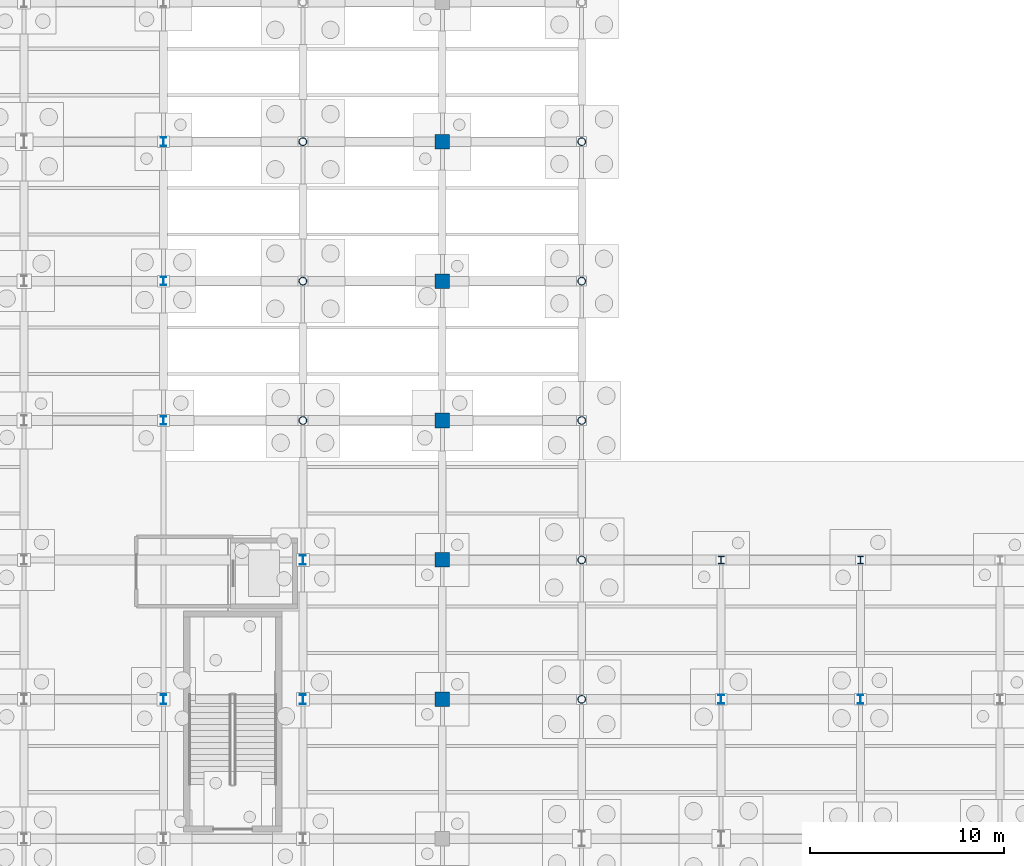
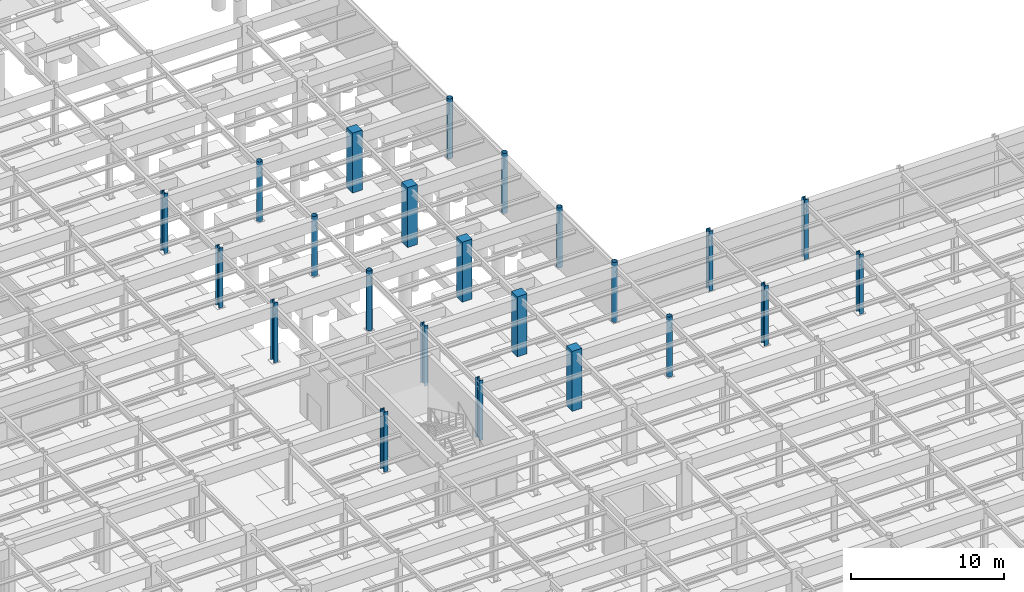
# One storey, part 27 of 64: 23 columns.
"""IFC4 building model written with IfcOpenShell, lengths in metres."""

from ifc_helpers import new_model, si_unit, direction, frame, origin, origin_2d, place, context, subcontext, project, spatial, rectangle, hollow_circle, i_section, extrude, material, material_profile, profile_set, type_object, element, save


model = new_model("IFC4")

# Units and contexts
model_context = context("Model", 3, precision=1e-05, world=origin(), true_north=direction((0.0, 1.0)))
body_context = subcontext(model_context, "Body", "Model", "MODEL_VIEW")
ifc_project = project(units=[si_unit("LENGTHUNIT", "METRE"), si_unit("AREAUNIT", "SQUARE_METRE"), si_unit("VOLUMEUNIT", "CUBIC_METRE"), si_unit("PLANEANGLEUNIT", "RADIAN"), si_unit("MASSUNIT", "GRAM", prefix="KILO")], contexts=[model_context])

# Site, building, storey
site_placement = place(None, origin())
site = spatial("IfcSite", under=ifc_project, at=site_placement, CompositionType="ELEMENT")
building_placement = place(site_placement, origin())
building = spatial("IfcBuilding", under=site, at=building_placement, Name="Solvadek Multi-Sports Hall", CompositionType="ELEMENT")
storey_placement = place(building_placement, frame((0.0, 0.0, -4.800048828125)))
storey = spatial("IfcBuildingStorey", under=building, at=storey_placement, Name="B1", CompositionType="ELEMENT", Elevation=-4.800048828125)

# Columns
ifc_material_1 = material(Name="Steel E350 (350 MPa)", Category="steel")
ifc_material_profile_1 = material_profile(ifc_material_1, hollow_circle(Radius=0.203125, WallThickness=0.01611328125, at=origin_2d()), Name="CHS 406.4x16")
ifc_profile_set_1 = profile_set([ifc_material_profile_1], Name="Steel E350 (350 MPa)")
column_type_1 = type_object("IfcColumnType", Name="STR-COL-CHS406", PredefinedType="COLUMN", material=ifc_profile_set_1)
for number, where, z_axis, x_axis, name in (
    (1, (72.0, 63.60009765625, 0.0), (0.0, 0.0, 1.0), (1.0, 0.0, 0.0), "B1 Column C-11 #153"),
    (2, (72.0, 70.800048828125, 0.0), (0.0, 0.0, 1.0), (1.0, 0.0, 0.0), "B1 Column C-11 #154"),
    (3, (72.0, 78.0, 0.0), (0.0, 0.0, 1.0), (1.0, 0.0, 0.0), "B1 Column C-11 #155"),
    (4, (86.39990234375, 49.199951171875, 0.0), (0.0, 0.0, 1.0), (1.0, 0.0, 0.0), "B1 Column C-11 #181"),
    (5, (86.39990234375, 56.39990234375, 0.0), (0.0, 0.0, 1.0), (1.0, 0.0, 0.0), "B1 Column C-11 #182"),
    (6, (86.39990234375, 63.60009765625, 0.0), (0.0, 0.0, 1.0), (1.0, 0.0, 0.0), "B1 Column C-11 #183"),
    (7, (86.39990234375, 70.800048828125, 0.0), (0.0, 0.0, 1.0), (1.0, 0.0, 0.0), "B1 Column C-11 #184"),
    (8, (86.39990234375, 78.0, 0.0), (0.0, 0.0, 1.0), (1.0, 0.0, 0.0), "B1 Column C-11 #185"),
):
    element("IfcColumn", number, at=place(storey_placement, frame(where, z_axis=z_axis, x_axis=x_axis)), inside=storey, type_object=column_type_1, Name=name, PredefinedType="COLUMN", context=body_context, shape_type="SweptSolid", body=[
        extrude(hollow_circle(Radius=0.203125, WallThickness=0.01611328125, at=origin_2d()), origin(), (0.0, 0.0, 1.0), 4.800048828125),
    ])
ifc_material_2 = material(Name="Concrete M40", Category="concrete")
ifc_material_profile_2 = material_profile(ifc_material_2, rectangle(XDim=0.75, YDim=0.75, at=origin_2d()), Name="RC 750x750")
ifc_profile_set_2 = profile_set([ifc_material_profile_2], Name="Concrete M40")
column_type_2 = type_object("IfcColumnType", Name="STR-COL-RC750", PredefinedType="COLUMN", material=ifc_profile_set_2)
for number, where, z_axis, x_axis, name in (
    (9, (79.199951171875, 49.199951171875, 0.0), (0.0, 0.0, 1.0), (1.0, 0.0, 0.0), "B1 Column C-13 #167"),
    (10, (79.199951171875, 56.39990234375, 0.0), (0.0, 0.0, 1.0), (1.0, 0.0, 0.0), "B1 Column C-13 #168"),
    (11, (79.199951171875, 63.60009765625, 0.0), (0.0, 0.0, 1.0), (1.0, 0.0, 0.0), "B1 Column C-13 #169"),
    (12, (79.199951171875, 70.800048828125, 0.0), (0.0, 0.0, 1.0), (1.0, 0.0, 0.0), "B1 Column C-13 #170"),
    (13, (79.199951171875, 78.0, 0.0), (0.0, 0.0, 1.0), (1.0, 0.0, 0.0), "B1 Column C-13 #171"),
):
    element("IfcColumn", number, at=place(storey_placement, frame(where, z_axis=z_axis, x_axis=x_axis)), inside=storey, type_object=column_type_2, Name=name, PredefinedType="COLUMN", context=body_context, shape_type="SweptSolid", body=[
        extrude(rectangle(XDim=0.75, YDim=0.75, at=origin_2d()), origin(), (0.0, 0.0, 1.0), 4.800048828125),
    ])
ifc_material_profile_3 = material_profile(ifc_material_1, i_section(OverallWidth=0.300048828125, OverallDepth=0.39990234375, WebThickness=0.013427734375, FlangeThickness=0.02392578125, at=origin_2d()), Name="WPB 400")
ifc_profile_set_3 = profile_set([ifc_material_profile_3], Name="Steel E350 (350 MPa)")
column_type_3 = type_object("IfcColumnType", Name="STR-COL-WPB400", PredefinedType="COLUMN", material=ifc_profile_set_3)
for number, where, z_axis, x_axis, name in (
    (14, (93.60009765625, 56.39990234375, 0.0), (0.0, 0.0, 1.0), (1.0, 0.0, 0.0), "B1 Column C-07 #197"),
    (15, (100.800048828125, 56.39990234375, 0.0), (0.0, 0.0, 1.0), (1.0, 0.0, 0.0), "B1 Column C-07 #205"),
):
    element("IfcColumn", number, at=place(storey_placement, frame(where, z_axis=z_axis, x_axis=x_axis)), inside=storey, type_object=column_type_3, Name=name, PredefinedType="COLUMN", context=body_context, shape_type="SweptSolid", body=[
        extrude(i_section(OverallWidth=0.300048828125, OverallDepth=0.39990234375, WebThickness=0.013427734375, FlangeThickness=0.02392578125, at=origin_2d()), origin(), (0.0, 0.0, 1.0), 4.800048828125),
    ])
ifc_material_profile_4 = material_profile(ifc_material_1, i_section(OverallWidth=0.300048828125, OverallDepth=0.449951171875, WebThickness=0.013916015625, FlangeThickness=0.02587890625, at=origin_2d()), Name="WPB 450")
ifc_profile_set_4 = profile_set([ifc_material_profile_4], Name="Steel E350 (350 MPa)")
column_type_4 = type_object("IfcColumnType", Name="STR-COL-WPB450", PredefinedType="COLUMN", material=ifc_profile_set_4)
for number, where, z_axis, x_axis, name in (
    (16, (64.800048828125, 63.60009765625, 0.0), (0.0, 0.0, 1.0), (1.0, 0.0, 0.0), "B1 Column C-06 #137"),
    (17, (64.800048828125, 70.800048828125, 0.0), (0.0, 0.0, 1.0), (1.0, 0.0, 0.0), "B1 Column C-06 #138"),
    (18, (64.800048828125, 78.0, 0.0), (0.0, 0.0, 1.0), (1.0, 0.0, 0.0), "B1 Column C-06 #139"),
    (19, (93.60009765625, 49.199951171875, 0.0), (0.0, 0.0, 1.0), (1.0, 0.0, 0.0), "B1 Column C-06 #196"),
    (20, (100.800048828125, 49.199951171875, 0.0), (0.0, 0.0, 1.0), (1.0, 0.0, 0.0), "B1 Column C-06 #204"),
):
    element("IfcColumn", number, at=place(storey_placement, frame(where, z_axis=z_axis, x_axis=x_axis)), inside=storey, type_object=column_type_4, Name=name, PredefinedType="COLUMN", context=body_context, shape_type="SweptSolid", body=[
        extrude(i_section(OverallWidth=0.300048828125, OverallDepth=0.449951171875, WebThickness=0.013916015625, FlangeThickness=0.02587890625, at=origin_2d()), origin(), (0.0, 0.0, 1.0), 4.800048828125),
    ])
ifc_material_profile_5 = material_profile(ifc_material_1, i_section(OverallWidth=0.300048828125, OverallDepth=0.5, WebThickness=0.014404296875, FlangeThickness=0.028076171875, at=origin_2d()), Name="WPB 500")
ifc_profile_set_5 = profile_set([ifc_material_profile_5], Name="Steel E350 (350 MPa)")
column_type_5 = type_object("IfcColumnType", Name="STR-COL-WPB500", PredefinedType="COLUMN", material=ifc_profile_set_5)
for number, where, z_axis, x_axis, name in (
    (21, (64.800048828125, 49.199951171875, 0.0), (0.0, 0.0, 1.0), (1.0, 0.0, 0.0), "B1 Column C-05 #136"),
    (22, (72.0, 49.199951171875, 0.0), (0.0, 0.0, 1.0), (1.0, 0.0, 0.0), "B1 Column C-05 #151"),
    (23, (72.0, 56.39990234375, 0.0), (0.0, 0.0, 1.0), (1.0, 0.0, 0.0), "B1 Column C-05 #152"),
):
    element("IfcColumn", number, at=place(storey_placement, frame(where, z_axis=z_axis, x_axis=x_axis)), inside=storey, type_object=column_type_5, Name=name, PredefinedType="COLUMN", context=body_context, shape_type="SweptSolid", body=[
        extrude(i_section(OverallWidth=0.300048828125, OverallDepth=0.5, WebThickness=0.014404296875, FlangeThickness=0.028076171875, at=origin_2d()), origin(), (0.0, 0.0, 1.0), 4.800048828125),
    ])

save(model, "model.ifc")
